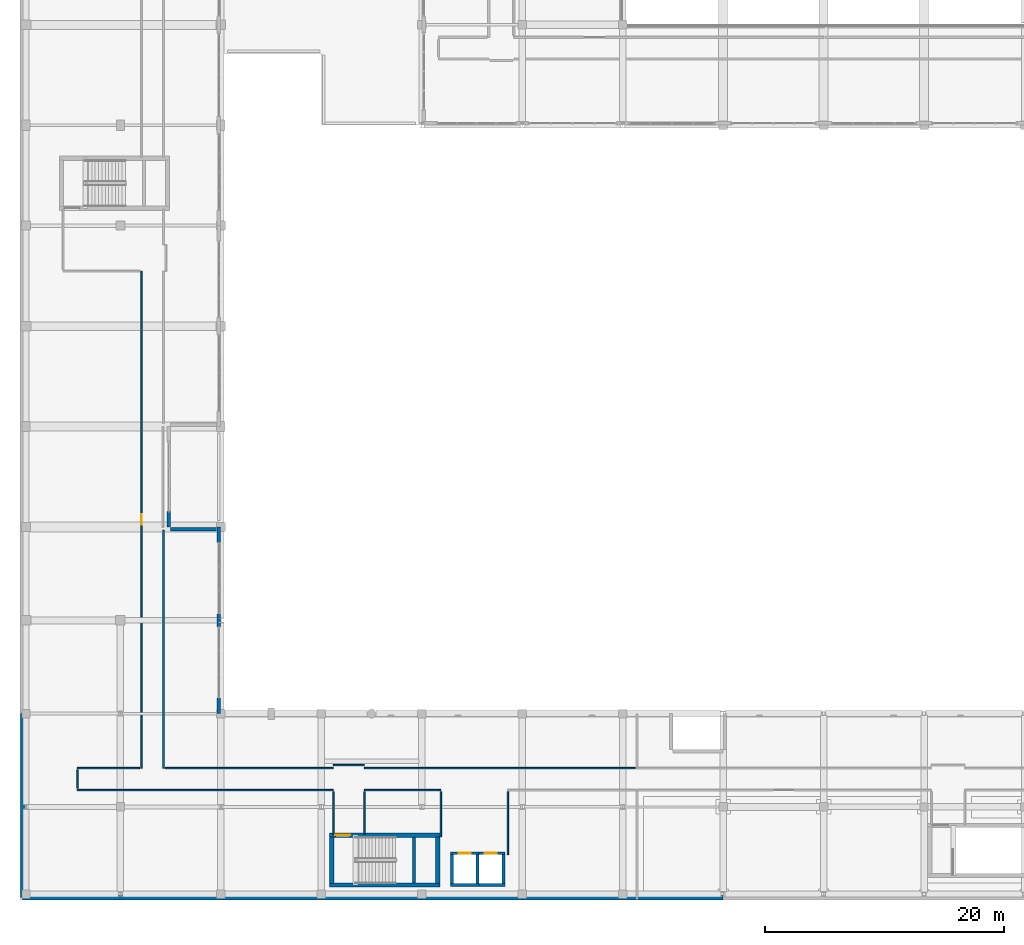
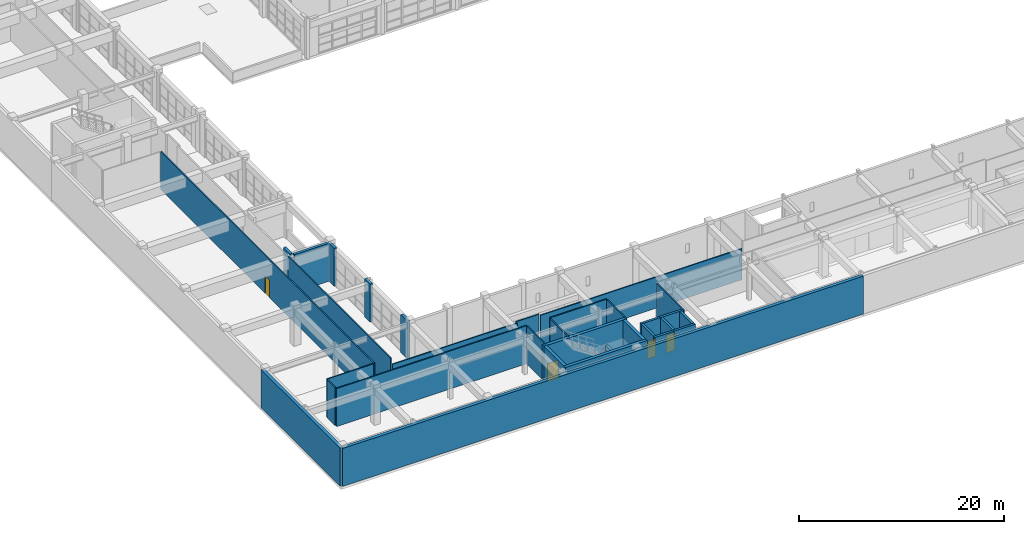
# One storey, part 103 of 123: 32 walls, 4 doors, 4 openings.
"""IFC4 building model written with IfcOpenShell, lengths in metres."""

import ifcopenshell
import ifcopenshell.guid

model = None  # the IFC model being written
_history = None  # IfcOwnerHistory: only IFC2X3 demands one
_inside = {}  # id of a spatial element -> (the spatial element, [elements in it])
_under = {}  # id of a project, library or spatial element -> (it, [spatial elements below it])
_declared = {}  # id of a project -> (the project, [libraries it declares])
_typed = {}  # id of a type object -> (the type object, [elements of that type])
_made_of = {}  # id of a material, layer set ... -> (it, [elements and type objects made of it])


def new_model(schema):
    """Start an empty IFC model of exactly this schema.

    Asked for "IFC4X3", IfcOpenShell would pick the latest addendum, in which some entities
    have other attributes; the version numbers below select the first issue.
    IFC2X3 requires an IfcOwnerHistory on every rooted entity: one is made here for all.
    """
    global model, _history
    if schema == "IFC4X3":
        model = ifcopenshell.file(schema_version=(4, 3, 0, 0))
    else:
        model = ifcopenshell.file(schema=schema)
    _inside.clear()
    _under.clear()
    _declared.clear()
    _typed.clear()
    _made_of.clear()
    _history = None
    if model.schema == "IFC2X3":
        org = make("IfcOrganization", Name="unknown")
        user = make(
            "IfcPersonAndOrganization",
            ThePerson=make("IfcPerson", FamilyName="unknown"),
            TheOrganization=org,
        )
        app = make(
            "IfcApplication",
            ApplicationDeveloper=org,
            Version="unknown",
            ApplicationFullName="unknown",
            ApplicationIdentifier="unknown",
        )
        _history = make(
            "IfcOwnerHistory",
            OwningUser=user,
            OwningApplication=app,
            ChangeAction="ADDED",
            CreationDate=0,
        )
    return model


def make(cls, **values):
    """One entity of the class cls with the attributes given. An attribute that is None is left unset."""
    return model.create_entity(
        cls, **{name: value for name, value in values.items() if value is not None}
    )


def rooted(cls, **values):
    """An entity with a GlobalId (a new one), such as an element, a storey or a relation."""
    return make(cls, GlobalId=ifcopenshell.guid.new(), OwnerHistory=_history, **values)


def si_unit(unit_type, name, prefix=None):
    """IfcSIUnit, for example si_unit("LENGTHUNIT", "METRE", prefix="MILLI")."""
    return make("IfcSIUnit", UnitType=unit_type, Prefix=prefix, Name=name)


def assignment(units):
    """IfcUnitAssignment: the units of a project."""
    return None if units is None else make("IfcUnitAssignment", Units=units)


def point(xyz):
    """IfcCartesianPoint."""
    return None if xyz is None else make("IfcCartesianPoint", Coordinates=xyz)


def direction(xyz):
    """IfcDirection."""
    return None if xyz is None else make("IfcDirection", DirectionRatios=xyz)


def frame(location, z_axis=None, x_axis=None):
    """IfcAxis2Placement3D, a coordinate frame: its origin and axes. An axis left out is left unset."""
    return make(
        "IfcAxis2Placement3D",
        Location=point(location),
        Axis=direction(z_axis),
        RefDirection=direction(x_axis),
    )


def frame_2d(location, x_axis=None):
    """IfcAxis2Placement2D, a coordinate frame in the plane: its origin and x axis."""
    return make(
        "IfcAxis2Placement2D", Location=point(location), RefDirection=direction(x_axis)
    )


def origin():
    """The frame at (0, 0, 0) with its axes left unset."""
    return frame((0.0, 0.0, 0.0))


def place(relative_to, where):
    """IfcLocalPlacement: puts the frame where relative to a parent placement (None: the world)."""
    return make(
        "IfcLocalPlacement", PlacementRelTo=relative_to, RelativePlacement=where
    )


def context(
    kind, dimensions, precision=None, world=None, true_north=None, identifier=None
):
    """IfcGeometricRepresentationContext, for example the 3D "Model" context."""
    return make(
        "IfcGeometricRepresentationContext",
        ContextIdentifier=identifier,
        ContextType=kind,
        CoordinateSpaceDimension=dimensions,
        Precision=precision,
        WorldCoordinateSystem=world,
        TrueNorth=true_north,
    )


def subcontext(parent, identifier, kind, view, scale=None):
    """IfcGeometricRepresentationSubContext, for example "Body" below "Model"."""
    return make(
        "IfcGeometricRepresentationSubContext",
        ContextIdentifier=identifier,
        ContextType=kind,
        ParentContext=parent,
        TargetScale=scale,
        TargetView=view,
    )


def project(units=None, contexts=None):
    """IfcProject with its units and contexts."""
    return rooted(
        "IfcProject",
        Name="project",
        RepresentationContexts=contexts,
        UnitsInContext=assignment(units),
    )


def spatial(cls, under=None, at=None, **own):
    """A site, building, storey or space (cls), placed at a placement, below another one or the project."""
    s = rooted(cls, ObjectPlacement=at, **own)
    if under is not None:
        _under.setdefault(under.id(), (under, []))[1].append(s)
    return s


def profile(cls, at=None, kind="AREA", **sizes):
    """A parametric profile (cls). Its sizes go by their IFC names, for example OverallWidth=200.0."""
    return make(cls, ProfileType=kind, Position=at, **sizes)


def rectangle(**sizes):
    """IfcRectangleProfileDef."""
    return profile("IfcRectangleProfileDef", **sizes)


def extrude(swept, where, along, depth):
    """IfcExtrudedAreaSolid: the profile swept, set in the frame where, extruded along a direction by depth."""
    return make(
        "IfcExtrudedAreaSolid",
        SweptArea=swept,
        Position=where,
        ExtrudedDirection=direction(along),
        Depth=depth,
    )


def shape(context_of_items, identifier, shape_type, items):
    """IfcShapeRepresentation: the items that make up one representation, for example the "Body"."""
    return make(
        "IfcShapeRepresentation",
        ContextOfItems=context_of_items,
        RepresentationIdentifier=identifier,
        RepresentationType=shape_type,
        Items=items,
    )


def material(Name=None, Category=None):
    """IfcMaterial."""
    return make("IfcMaterial", Name=Name, Category=Category)


def layer(
    of_material, thickness, ventilated=None, Name=None, Category=None, Priority=None
):
    """IfcMaterialLayer: one layer of a wall or slab, of a material (None: an air gap)."""
    return make(
        "IfcMaterialLayer",
        Material=of_material,
        LayerThickness=thickness,
        IsVentilated=ventilated,
        Name=Name,
        Category=Category,
        Priority=Priority,
    )


def layer_set(layers, Name=None):
    """IfcMaterialLayerSet."""
    return make("IfcMaterialLayerSet", MaterialLayers=layers, LayerSetName=Name)


def made_of(thing, what):
    """Note that an element or type object is made of a material, layer set ...; save() writes the relation."""
    if what is not None:
        _made_of.setdefault(what.id(), (what, []))[1].append(thing)
    return thing


def type_object(cls, material=None, **own):
    """A type object (cls), such as IfcWallType, which elements share."""
    return made_of(rooted(cls, **own), material)


def element(
    cls,
    number,
    at=None,
    inside=None,
    cuts=None,
    type_object=None,
    material=None,
    context=None,
    identifier="Body",
    shape_type=None,
    held_by="IfcProductDefinitionShape",
    body=None,
    shapes=None,
    **own,
):
    """One element of the class cls, such as IfcWall. Its Tag is "e" and its number.

    at: its placement. inside: the storey or other place that contains it. cuts: it is an
    opening in that element (IfcRelVoidsElement). A single representation is given by context,
    identifier, shape_type and body (its items); several are given by shapes. held_by: the class
    of the entity that holds the representations. save() writes the other relations.
    """
    e = rooted(cls, Tag="e%d" % number, ObjectPlacement=at, **own)
    if body is not None:
        shapes = [shape(context, identifier, shape_type, body)]
    if shapes is not None:
        e.Representation = make(held_by, Representations=shapes)
    if inside is not None:
        _inside.setdefault(inside.id(), (inside, []))[1].append(e)
    if cuts is not None:
        rooted(
            "IfcRelVoidsElement", RelatingBuildingElement=cuts, RelatedOpeningElement=e
        )
    if type_object is not None:
        _typed.setdefault(type_object.id(), (type_object, []))[1].append(e)
    return made_of(e, material)


def fill(opening, filler):
    """IfcRelFillsElement: the door or window that sits in an opening."""
    return rooted(
        "IfcRelFillsElement",
        RelatingOpeningElement=opening,
        RelatedBuildingElement=filler,
    )


def aggregate(whole, parts):
    """IfcRelAggregates: a whole, such as a stair, and the parts it consists of."""
    return rooted("IfcRelAggregates", RelatingObject=whole, RelatedObjects=parts)


def save(model, path):
    """Write the relations noted so far, then the file.

    IfcRelAggregates (storeys below a building ...), IfcRelContainedInSpatialStructure (elements
    in a storey), IfcRelDefinesByType, IfcRelAssociatesMaterial and IfcRelDeclares: one each for
    every whole, place, type object, material and project.
    """
    for whole, parts in _under.values():
        aggregate(whole, parts)
    for where, things in _inside.values():
        rooted(
            "IfcRelContainedInSpatialStructure",
            RelatedElements=things,
            RelatingStructure=where,
        )
    for kind, things in _typed.values():
        rooted("IfcRelDefinesByType", RelatedObjects=things, RelatingType=kind)
    for what, things in _made_of.values():
        rooted("IfcRelAssociatesMaterial", RelatedObjects=things, RelatingMaterial=what)
    for by, libraries in _declared.values():
        rooted("IfcRelDeclares", RelatingContext=by, RelatedDefinitions=libraries)
    model.write(path)


model = new_model("IFC4")

# Units and contexts
model_context = context("Model", 3, precision=1e-05, world=origin(), true_north=direction((0.0, 1.0)))
body_context = subcontext(model_context, "Body", "Model", "MODEL_VIEW")
ifc_project = project(units=[si_unit("LENGTHUNIT", "METRE"), si_unit("AREAUNIT", "SQUARE_METRE"), si_unit("VOLUMEUNIT", "CUBIC_METRE"), si_unit("PLANEANGLEUNIT", "RADIAN"), si_unit("MASSUNIT", "GRAM", prefix="KILO")], contexts=[model_context])

# Site, building, storey
site_placement = place(None, origin())
site = spatial("IfcSite", under=ifc_project, at=site_placement, CompositionType="ELEMENT")
building_placement = place(site_placement, origin())
building = spatial("IfcBuilding", under=site, at=building_placement, Name="Quendrovan Civic Courthouse", CompositionType="ELEMENT")
storey_placement = place(building_placement, frame((0.0, 0.0, 5.39990234375)))
storey = spatial("IfcBuildingStorey", under=building, at=storey_placement, Name="L02", CompositionType="ELEMENT", Elevation=5.39990234375)

# Wall
ifc_material_1 = material(Name="Concrete C45/55", Category="concrete")
ifc_layer_1 = layer(ifc_material_1, 0.35009765625, Name="Concrete C45/55")
ifc_layer_set_1 = layer_set([ifc_layer_1], Name="Concrete C45/55")
wall_type_1 = type_object("IfcWallType", Name="WL-CORE-350", PredefinedType="SHEAR", material=ifc_layer_set_1)
wall_1_placement = place(storey_placement, frame((25.889892578125, 1.264892578125, 0.0), z_axis=(0.0, 0.0, 1.0), x_axis=(1.0, 0.0, 0.0)))
element("IfcWall", 1, at=wall_1_placement, inside=storey, type_object=wall_type_1, Name="L02 Core Shear Wall ST5-S", PredefinedType="SHEAR", context=body_context, shape_type="SweptSolid", body=[
    extrude(rectangle(XDim=9.22021484375, YDim=0.35009765625, at=frame_2d((4.610107421875, 0.0))), origin(), (0.0, 0.0, 1.0), 4.52001953125),
])

# Wall, opening, door
wall_2_placement = place(storey_placement, frame((35.110107421875, 5.43505859375, 0.0), z_axis=(0.0, 0.0, 1.0), x_axis=(-1.0, 0.0, 0.0)))
wall_2 = element("IfcWall", 2, at=wall_2_placement, inside=storey, type_object=wall_type_1, Name="L02 Core Shear Wall ST5-N", PredefinedType="SHEAR", context=body_context, shape_type="SweptSolid", body=[
    extrude(rectangle(XDim=9.22021484375, YDim=0.35009765625, at=frame_2d((4.610107421875, 0.0))), origin(), (0.0, 0.0, 1.0), 4.52001953125),
])
opening_1_placement = place(wall_2_placement, frame((7.5, 0.0, 0.0)))
opening_1 = element("IfcOpeningElement", 3, at=opening_1_placement, cuts=wall_2, Name="Opening DS-ST5-L02", PredefinedType="OPENING", context=body_context, shape_type="SweptSolid", body=[
    extrude(rectangle(XDim=1.25, YDim=2.199951171875, at=frame_2d((0.625, 1.10009765625))), frame((0.0, 0.18505859375, 0.0), z_axis=(0.0, -1.0, 0.0), x_axis=(1.0, 0.0, 0.0)), (0.0, 0.0, 1.0), 0.3701171875),
])
ifc_material_2 = material(Name="Painted galvanized hollow-metal steel", Category="steel")
door_type_1 = type_object("IfcDoorType", Name="DR-STAIR-1250", OperationType="NOTDEFINED", PredefinedType="DOOR", material=ifc_material_2)
door_1_placement = place(opening_1_placement, origin())
door_1 = element("IfcDoor", 4, at=door_1_placement, inside=storey, type_object=door_type_1, Name="L02 Exit Stair ST5 Fire Door", OperationType="SINGLE_SWING_RIGHT", OverallHeight=2.199951171875, OverallWidth=1.25, PredefinedType="DOOR", context=body_context, shape_type="SweptSolid", body=[
    extrude(rectangle(XDim=1.25, YDim=2.199951171875, at=frame_2d((0.625, 1.10009765625))), frame((0.0, 0.02490234375, 0.0), z_axis=(0.0, -1.0, 0.0), x_axis=(1.0, 0.0, 0.0)), (0.0, 0.0, 1.0), 0.050048828125),
])
fill(opening_1, door_1)

# Walls
for number, where, z_axis, x_axis, name in (
    (5, (26.06494140625, 1.39990234375, 0.0), (0.0, 0.0, 1.0), (0.0, 1.0, 0.0), "L02 Core Shear Wall ST5-W"),
    (6, (34.93505859375, 5.300048828125, 0.0), (0.0, 0.0, 1.0), (0.0, -1.0, 0.0), "L02 Core Shear Wall ST5-E"),
):
    element("IfcWall", number, at=place(storey_placement, frame(where, z_axis=z_axis, x_axis=x_axis)), inside=storey, type_object=wall_type_1, Name=name, PredefinedType="SHEAR", context=body_context, shape_type="SweptSolid", body=[
        extrude(rectangle(XDim=3.900146484375, YDim=0.35009765625, at=frame_2d((1.9501953125, 0.0))), origin(), (0.0, 0.0, 1.0), 4.52001953125),
    ])
ifc_material_3 = material(Name="Precast concrete C45/55", Category="concrete")
ifc_layer_2 = layer(ifc_material_3, 0.2900390625, Name="Precast concrete C45/55")
ifc_layer_set_2 = layer_set([ifc_layer_2], Name="Precast concrete C45/55")
wall_type_2 = type_object("IfcWallType", Name="WL-EXT-PC290", PredefinedType="SOLIDWALL", material=ifc_layer_set_2)
wall_3_placement = place(storey_placement, frame((12.43505859375, 32.5, 0.0), z_axis=(0.0, 0.0, 1.0), x_axis=(0.0, -1.0, 0.0)))
element("IfcWall", 7, at=wall_3_placement, inside=storey, type_object=wall_type_2, Name="L02 Exterior Pier Wall 182", PredefinedType="SOLIDWALL", context=body_context, shape_type="SweptSolid", body=[
    extrude(rectangle(XDim=1.300048828125, YDim=0.2900390625, at=frame_2d((0.64990234375, 0.0))), origin(), (0.0, 0.0, 1.0), 4.52001953125),
])
wall_4_placement = place(storey_placement, frame((12.60009765625, 31.034912109375, 0.0), z_axis=(0.0, 0.0, 1.0), x_axis=(1.0, 0.0, 0.0)))
element("IfcWall", 8, at=wall_4_placement, inside=storey, type_object=wall_type_2, Name="L02 Exterior Civic Portal Wall 183", PredefinedType="SOLIDWALL", context=body_context, shape_type="SweptSolid", body=[
    extrude(rectangle(XDim=4.199951171875, YDim=0.2900390625, at=frame_2d((2.10009765625, 0.0))), origin(), (0.0, 0.0, 1.0), 4.52001953125),
])
wall_5_placement = place(storey_placement, frame((16.635009765625, 31.199951171875, 0.0), z_axis=(0.0, 0.0, 1.0), x_axis=(0.0, -1.0, 0.0)))
element("IfcWall", 9, at=wall_5_placement, inside=storey, type_object=wall_type_2, Name="L02 Exterior Pier Wall 184", PredefinedType="SOLIDWALL", context=body_context, shape_type="SweptSolid", body=[
    extrude(rectangle(XDim=1.300048828125, YDim=0.2900390625, at=frame_2d((0.64990234375, 0.0))), origin(), (0.0, 0.0, 1.0), 4.52001953125),
])
wall_6_placement = place(storey_placement, frame((16.635009765625, 23.93701171875, 0.0), z_axis=(0.0, 0.0, 1.0), x_axis=(0.0, -1.0, 0.0)))
element("IfcWall", 10, at=wall_6_placement, inside=storey, type_object=wall_type_2, Name="L02 Exterior Pier Wall 185", PredefinedType="SOLIDWALL", context=body_context, shape_type="SweptSolid", body=[
    extrude(rectangle(XDim=1.073974609375, YDim=0.2900390625, at=frame_2d((0.537109375, 0.0))), origin(), (0.0, 0.0, 1.0), 4.52001953125),
])
wall_7_placement = place(storey_placement, frame((16.635009765625, 16.89990234375, 0.0), z_axis=(0.0, 0.0, 1.0), x_axis=(0.0, -1.0, 0.0)))
element("IfcWall", 11, at=wall_7_placement, inside=storey, type_object=wall_type_2, Name="L02 Exterior Pier Wall 186", PredefinedType="SOLIDWALL", context=body_context, shape_type="SweptSolid", body=[
    extrude(rectangle(XDim=1.2998046875, YDim=0.2900390625, at=frame_2d((0.64990234375, 0.0))), origin(), (0.0, 0.0, 1.0), 4.52001953125),
])
ifc_material_4 = material(Name="Concrete C40/50", Category="concrete")
ifc_layer_3 = layer(ifc_material_4, 0.360107421875, Name="Concrete C40/50")
ifc_layer_set_3 = layer_set([ifc_layer_3], Name="Concrete C40/50")
wall_type_3 = type_object("IfcWallType", Name="WL-PARTY-360", PredefinedType="SOLIDWALL", material=ifc_layer_set_3)
wall_8_placement = place(storey_placement, frame((58.800048828125, 0.2099609375, 0.0), z_axis=(0.0, 0.0, 1.0), x_axis=(-1.0, 0.0, 0.0)))
element("IfcWall", 12, at=wall_8_placement, inside=storey, type_object=wall_type_3, Name="L02 Fire-Rated Boundary Party Wall 196", PredefinedType="SOLIDWALL", context=body_context, shape_type="SweptSolid", body=[
    extrude(rectangle(XDim=58.590087890625, YDim=0.360107421875, at=frame_2d((29.294921875, 0.0))), origin(), (0.0, 0.0, 1.0), 4.52001953125),
])
wall_9_placement = place(storey_placement, frame((0.2099609375, 0.2099609375, 0.0), z_axis=(0.0, 0.0, 1.0), x_axis=(0.0, 1.0, 0.0)))
element("IfcWall", 13, at=wall_9_placement, inside=storey, type_object=wall_type_3, Name="L02 Fire-Rated Boundary Party Wall 197", PredefinedType="SOLIDWALL", context=body_context, shape_type="SweptSolid", body=[
    extrude(rectangle(XDim=15.39013671875, YDim=0.360107421875, at=frame_2d((7.695068359375, 0.0))), origin(), (0.0, 0.0, 1.0), 4.52001953125),
])

# Wall, opening, door
ifc_material_5 = material(Name="Gypsum stud partition")
ifc_layer_4 = layer(ifc_material_5, 0.1298828125, Name="Gypsum stud partition")
ifc_layer_set_4 = layer_set([ifc_layer_4], Name="Gypsum stud partition")
wall_type_4 = type_object("IfcWallType", Name="WL-REG-130", PredefinedType="PARTITIONING", material=ifc_layer_set_4)
wall_10_placement = place(storey_placement, frame((10.14990234375, 52.60009765625, 0.0), z_axis=(0.0, 0.0, 1.0), x_axis=(0.0, -1.0, 0.0)))
wall_10 = element("IfcWall", 14, at=wall_10_placement, inside=storey, type_object=wall_type_4, Name="L02 Judicial Case Administration Office Partition 0290", PredefinedType="PARTITIONING", context=body_context, shape_type="SweptSolid", body=[
    extrude(rectangle(XDim=41.550048828125, YDim=0.1298828125, at=frame_2d((20.77490234375, 0.0))), origin(), (0.0, 0.0, 1.0), 4.52001953125),
])
opening_2_placement = place(wall_10_placement, frame((20.3349609375, 0.0, 0.0)))
opening_2 = element("IfcOpeningElement", 15, at=opening_2_placement, cuts=wall_10, Name="Opening D-L02-045", PredefinedType="OPENING", context=body_context, shape_type="SweptSolid", body=[
    extrude(rectangle(XDim=0.8798828125, YDim=2.10009765625, at=frame_2d((0.43994140625, 1.050048828125))), frame((0.0, 0.074951171875, 0.0), z_axis=(0.0, -1.0, 0.0), x_axis=(1.0, 0.0, 0.0)), (0.0, 0.0, 1.0), 0.14990234375),
])
ifc_material_6 = material(Name="Painted steel store door", Category="steel")
door_type_2 = type_object("IfcDoorType", Name="DR-STR-880", OperationType="NOTDEFINED", PredefinedType="DOOR", material=ifc_material_6)
door_2_placement = place(opening_2_placement, origin())
door_2 = element("IfcDoor", 16, at=door_2_placement, inside=storey, type_object=door_type_2, Name="L02 Judicial Case Administration Office Door D-L02-045", OperationType="SINGLE_SWING_RIGHT", OverallHeight=2.10009765625, OverallWidth=0.8798828125, PredefinedType="DOOR", context=body_context, shape_type="SweptSolid", body=[
    extrude(rectangle(XDim=0.8798828125, YDim=2.10009765625, at=frame_2d((0.43994140625, 1.050048828125))), frame((0.0, 0.02490234375, 0.0), z_axis=(0.0, -1.0, 0.0), x_axis=(1.0, 0.0, 0.0)), (0.0, 0.0, 1.0), 0.050048828125),
])
fill(opening_2, door_2)

# Walls
wall_11_placement = place(storey_placement, frame((51.449951171875, 11.050048828125, 0.0), z_axis=(0.0, 0.0, 1.0), x_axis=(-1.0, 0.0, 0.0)))
element("IfcWall", 17, at=wall_11_placement, inside=storey, type_object=wall_type_4, Name="L02 Judicial Case Administration Office Partition 0296", PredefinedType="PARTITIONING", context=body_context, shape_type="SweptSolid", body=[
    extrude(rectangle(XDim=22.64990234375, YDim=0.1298828125, at=frame_2d((11.324951171875, 0.0))), origin(), (0.0, 0.0, 1.0), 3.7001953125),
])
wall_12_placement = place(storey_placement, frame((4.800048828125, 9.199951171875, 0.0), z_axis=(0.0, 0.0, 1.0), x_axis=(1.0, 0.0, 0.0)))
element("IfcWall", 18, at=wall_12_placement, inside=storey, type_object=wall_type_4, Name="L02 Judicial Case Administration Office Partition 0297", PredefinedType="PARTITIONING", context=body_context, shape_type="SweptSolid", body=[
    extrude(rectangle(XDim=21.39990234375, YDim=0.1298828125, at=frame_2d((10.699951171875, 0.0))), origin(), (0.0, 0.0, 1.0), 4.52001953125),
])
wall_13_placement = place(storey_placement, frame((12.0, 11.050048828125, 0.0), z_axis=(0.0, 0.0, 1.0), x_axis=(0.0, 1.0, 0.0)))
element("IfcWall", 19, at=wall_13_placement, inside=storey, type_object=wall_type_4, Name="L02 Judicial Case Administration Office Partition 0302", PredefinedType="PARTITIONING", context=body_context, shape_type="SweptSolid", body=[
    extrude(rectangle(XDim=19.8798828125, YDim=0.1298828125, at=frame_2d((9.93994140625, 0.0))), origin(), (0.0, 0.0, 1.0), 4.52001953125),
])
wall_14_placement = place(storey_placement, frame((26.199951171875, 11.050048828125, 0.0), z_axis=(0.0, 0.0, 1.0), x_axis=(-1.0, 0.0, 0.0)))
element("IfcWall", 20, at=wall_14_placement, inside=storey, type_object=wall_type_4, Name="L02 Judicial Case Administration Office Partition 0327", PredefinedType="PARTITIONING", context=body_context, shape_type="SweptSolid", body=[
    extrude(rectangle(XDim=14.054931640625, YDim=0.1298828125, at=frame_2d((7.02734375, 0.0))), origin(), (0.0, 0.0, 1.0), 3.7001953125),
])
wall_15_placement = place(storey_placement, frame((28.800048828125, 9.199951171875, 0.0), z_axis=(0.0, 0.0, 1.0), x_axis=(1.0, 0.0, 0.0)))
element("IfcWall", 21, at=wall_15_placement, inside=storey, type_object=wall_type_4, Name="L02 Judicial Case Administration Office Partition 0345", PredefinedType="PARTITIONING", context=body_context, shape_type="SweptSolid", body=[
    extrude(rectangle(XDim=6.39990234375, YDim=0.1298828125, at=frame_2d((3.199951171875, 0.0))), origin(), (0.0, 0.0, 1.0), 4.52001953125),
])
wall_16_placement = place(storey_placement, frame((35.199951171875, 9.054931640625, 0.0), z_axis=(0.0, 0.0, 1.0), x_axis=(0.0, -1.0, 0.0)))
element("IfcWall", 22, at=wall_16_placement, inside=storey, type_object=wall_type_4, Name="L02 Judicial Case Administration Office Partition 0351", PredefinedType="PARTITIONING", context=body_context, shape_type="SweptSolid", body=[
    extrude(rectangle(XDim=3.7548828125, YDim=0.1298828125, at=frame_2d((1.87744140625, 0.0))), origin(), (0.0, 0.0, 1.0), 4.52001953125),
])
wall_17_placement = place(storey_placement, frame((40.800048828125, 3.800048828125, 0.0), z_axis=(0.0, 0.0, 1.0), x_axis=(0.0, 1.0, 0.0)))
element("IfcWall", 23, at=wall_17_placement, inside=storey, type_object=wall_type_4, Name="L02 Judicial Case Administration Office Partition 0352", PredefinedType="PARTITIONING", context=body_context, shape_type="SweptSolid", body=[
    extrude(rectangle(XDim=5.2548828125, YDim=0.1298828125, at=frame_2d((2.62744140625, 0.0))), origin(), (0.0, 0.0, 1.0), 4.52001953125),
])
wall_18_placement = place(storey_placement, frame((10.0048828125, 11.050048828125, 0.0), z_axis=(0.0, 0.0, 1.0), x_axis=(-1.0, 0.0, 0.0)))
element("IfcWall", 24, at=wall_18_placement, inside=storey, type_object=wall_type_4, Name="L02 Judicial Case Administration Office Partition 0353", PredefinedType="PARTITIONING", context=body_context, shape_type="SweptSolid", body=[
    extrude(rectangle(XDim=5.204833984375, YDim=0.1298828125, at=frame_2d((2.6025390625, 0.0))), origin(), (0.0, 0.0, 1.0), 4.52001953125),
])
for number, where, z_axis, x_axis, name in (
    (25, (26.199951171875, 9.054931640625, 0.0), (0.0, 0.0, 1.0), (0.0, -1.0, 0.0), "L02 Judicial Case Administration Office Partition 0370"),
    (26, (28.800048828125, 5.52001953125, 0.0), (0.0, 0.0, 1.0), (0.0, 1.0, 0.0), "L02 Judicial Case Administration Office Partition 0371"),
):
    element("IfcWall", number, at=place(storey_placement, frame(where, z_axis=z_axis, x_axis=x_axis)), inside=storey, type_object=wall_type_4, Name=name, PredefinedType="PARTITIONING", context=body_context, shape_type="SweptSolid", body=[
        extrude(rectangle(XDim=3.534912109375, YDim=0.1298828125, at=frame_2d((1.767578125, 0.0))), origin(), (0.0, 0.0, 1.0), 4.52001953125),
    ])
wall_19_placement = place(storey_placement, frame((28.800048828125, 11.300048828125, 0.0), z_axis=(0.0, 0.0, 1.0), x_axis=(-1.0, 0.0, 0.0)))
element("IfcWall", 27, at=wall_19_placement, inside=storey, type_object=wall_type_4, Name="L02 Judicial Case Administration Office Partition 0393", PredefinedType="PARTITIONING", context=body_context, shape_type="SweptSolid", body=[
    extrude(rectangle(XDim=2.60009765625, YDim=0.1298828125, at=frame_2d((1.300048828125, 0.0))), origin(), (0.0, 0.0, 1.0), 3.7001953125),
])
wall_20_placement = place(storey_placement, frame((4.800048828125, 10.905029296875, 0.0), z_axis=(0.0, 0.0, 1.0), x_axis=(0.0, -1.0, 0.0)))
element("IfcWall", 28, at=wall_20_placement, inside=storey, type_object=wall_type_4, Name="L02 Judicial Case Administration Office Partition 0407", PredefinedType="PARTITIONING", context=body_context, shape_type="SweptSolid", body=[
    extrude(rectangle(XDim=1.56005859375, YDim=0.1298828125, at=frame_2d((0.780029296875, 0.0))), origin(), (0.0, 0.0, 1.0), 4.52001953125),
])
ifc_layer_5 = layer(ifc_material_1, 0.25, Name="Concrete C45/55")
ifc_layer_set_5 = layer_set([ifc_layer_5], Name="Concrete C45/55")
wall_type_5 = type_object("IfcWallType", Name="WL-SHAFT-250", PredefinedType="SHEAR", material=ifc_layer_set_5)
wall_21_placement = place(storey_placement, frame((32.949951171875, 1.449951171875, 0.0), z_axis=(0.0, 0.0, 1.0), x_axis=(0.0, 1.0, 0.0)))
element("IfcWall", 29, at=wall_21_placement, inside=storey, type_object=wall_type_5, Name="L02 Stair ST5 Mid-Landing Bearing Wall", PredefinedType="SHEAR", context=body_context, shape_type="SweptSolid", body=[
    extrude(rectangle(XDim=3.800048828125, YDim=0.25, at=frame_2d((1.89990234375, 0.0))), origin(), (0.0, 0.0, 1.0), 2.22021484375),
])
wall_22_placement = place(storey_placement, frame((36.0, 1.27490234375, 0.0), z_axis=(0.0, 0.0, 1.0), x_axis=(1.0, 0.0, 0.0)))
element("IfcWall", 30, at=wall_22_placement, inside=storey, type_object=wall_type_5, Name="L02 Lift Hoistway Wall CL1 -Y", PredefinedType="SHEAR", context=body_context, shape_type="SweptSolid", body=[
    extrude(rectangle(XDim=2.39990234375, YDim=0.25, at=frame_2d((1.199951171875, 0.0))), origin(), (0.0, 0.0, 1.0), 4.52001953125),
])

# Wall, opening, door
wall_23_placement = place(storey_placement, frame((38.39990234375, 3.925048828125, 0.0), z_axis=(0.0, 0.0, 1.0), x_axis=(-1.0, 0.0, 0.0)))
wall_23 = element("IfcWall", 31, at=wall_23_placement, inside=storey, type_object=wall_type_5, Name="L02 Lift Hoistway Wall CL1 +Y", PredefinedType="SHEAR", context=body_context, shape_type="SweptSolid", body=[
    extrude(rectangle(XDim=2.39990234375, YDim=0.25, at=frame_2d((1.199951171875, 0.0))), origin(), (0.0, 0.0, 1.0), 4.52001953125),
])
opening_3_placement = place(wall_23_placement, frame((0.68994140625, 0.0, 0.0)))
opening_3 = element("IfcOpeningElement", 32, at=opening_3_placement, cuts=wall_23, Name="Opening LD-CL1-L02", PredefinedType="OPENING", context=body_context, shape_type="SweptSolid", body=[
    extrude(rectangle(XDim=1.02001953125, YDim=2.14990234375, at=frame_2d((0.510009765625, 1.074951171875))), frame((0.0, 0.135009765625, 0.0), z_axis=(0.0, -1.0, 0.0), x_axis=(1.0, 0.0, 0.0)), (0.0, 0.0, 1.0), 0.27001953125),
])
ifc_material_7 = material(Name="Heavy security stainless steel", Category="steel")
door_type_3 = type_object("IfcDoorType", Name="DR-LIFT-LD-CL", OperationType="NOTDEFINED", PredefinedType="DOOR", material=ifc_material_7)
door_3_placement = place(opening_3_placement, origin())
door_3 = element("IfcDoor", 33, at=door_3_placement, inside=storey, type_object=door_type_3, Name="L02 Lift CL1 Sliding Landing Door", OperationType="SLIDING_TO_LEFT", OverallHeight=2.14990234375, OverallWidth=1.02001953125, PredefinedType="DOOR", context=body_context, shape_type="SweptSolid", body=[
    extrude(rectangle(XDim=1.02001953125, YDim=2.14990234375, at=frame_2d((0.510009765625, 1.074951171875))), frame((0.0, 0.02490234375, 0.0), z_axis=(0.0, -1.0, 0.0), x_axis=(1.0, 0.0, 0.0)), (0.0, 0.0, 1.0), 0.050048828125),
])
fill(opening_3, door_3)

# Walls
for number, where, z_axis, x_axis, name in (
    (34, (36.125, 1.39990234375, 0.0), (0.0, 0.0, 1.0), (0.0, 1.0, 0.0), "L02 Lift Hoistway Wall CL1 -X"),
    (35, (38.27490234375, 3.800048828125, 0.0), (0.0, 0.0, 1.0), (0.0, -1.0, 0.0), "L02 Lift Hoistway Wall CL1 +X"),
    (36, (38.14990234375, 1.27490234375, 0.0), (0.0, 0.0, 1.0), (1.0, 0.0, 0.0), "L02 Lift Hoistway Wall CL2 -Y"),
):
    element("IfcWall", number, at=place(storey_placement, frame(where, z_axis=z_axis, x_axis=x_axis)), inside=storey, type_object=wall_type_5, Name=name, PredefinedType="SHEAR", context=body_context, shape_type="SweptSolid", body=[
        extrude(rectangle(XDim=2.400146484375, YDim=0.25, at=frame_2d((1.2001953125, 0.0))), origin(), (0.0, 0.0, 1.0), 4.52001953125),
    ])

# Wall, opening, door
wall_24_placement = place(storey_placement, frame((40.550048828125, 3.925048828125, 0.0), z_axis=(0.0, 0.0, 1.0), x_axis=(-1.0, 0.0, 0.0)))
wall_24 = element("IfcWall", 37, at=wall_24_placement, inside=storey, type_object=wall_type_5, Name="L02 Lift Hoistway Wall CL2 +Y", PredefinedType="SHEAR", context=body_context, shape_type="SweptSolid", body=[
    extrude(rectangle(XDim=2.400146484375, YDim=0.25, at=frame_2d((1.2001953125, 0.0))), origin(), (0.0, 0.0, 1.0), 4.52001953125),
])
opening_4_placement = place(wall_24_placement, frame((0.68994140625, 0.0, 0.0)))
opening_4 = element("IfcOpeningElement", 38, at=opening_4_placement, cuts=wall_24, Name="Opening LD-CL2-L02", PredefinedType="OPENING", context=body_context, shape_type="SweptSolid", body=[
    extrude(rectangle(XDim=1.02001953125, YDim=2.14990234375, at=frame_2d((0.510009765625, 1.074951171875))), frame((0.0, 0.135009765625, 0.0), z_axis=(0.0, -1.0, 0.0), x_axis=(1.0, 0.0, 0.0)), (0.0, 0.0, 1.0), 0.27001953125),
])
door_4_placement = place(opening_4_placement, origin())
door_4 = element("IfcDoor", 39, at=door_4_placement, inside=storey, type_object=door_type_3, Name="L02 Lift CL2 Sliding Landing Door", OperationType="SLIDING_TO_LEFT", OverallHeight=2.14990234375, OverallWidth=1.02001953125, PredefinedType="DOOR", context=body_context, shape_type="SweptSolid", body=[
    extrude(rectangle(XDim=1.02001953125, YDim=2.14990234375, at=frame_2d((0.510009765625, 1.074951171875))), frame((0.0, 0.02490234375, 0.0), z_axis=(0.0, -1.0, 0.0), x_axis=(1.0, 0.0, 0.0)), (0.0, 0.0, 1.0), 0.050048828125),
])
fill(opening_4, door_4)

# Wall
wall_25_placement = place(storey_placement, frame((40.425048828125, 3.800048828125, 0.0), z_axis=(0.0, 0.0, 1.0), x_axis=(0.0, -1.0, 0.0)))
element("IfcWall", 40, at=wall_25_placement, inside=storey, type_object=wall_type_5, Name="L02 Lift Hoistway Wall CL2 +X", PredefinedType="SHEAR", context=body_context, shape_type="SweptSolid", body=[
    extrude(rectangle(XDim=2.400146484375, YDim=0.25, at=frame_2d((1.2001953125, 0.0))), origin(), (0.0, 0.0, 1.0), 4.52001953125),
])

save(model, "model.ifc")
